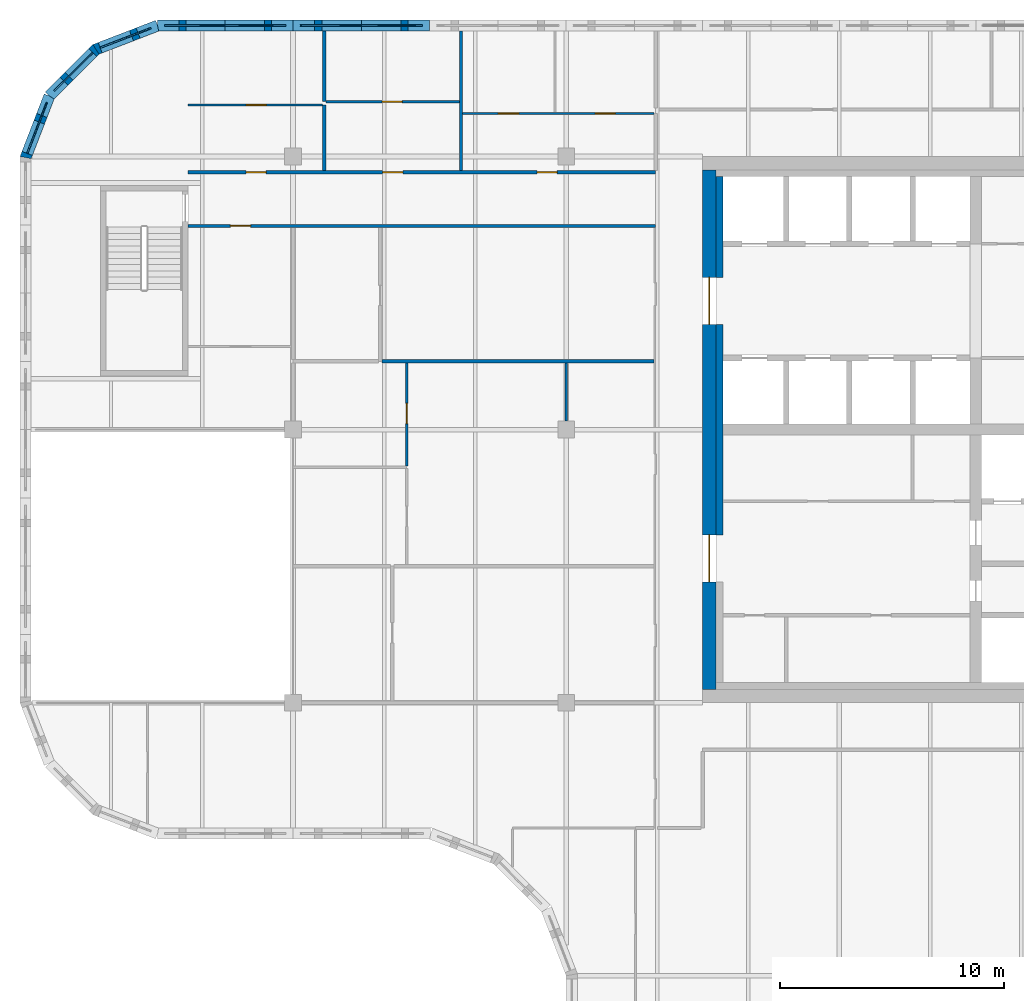
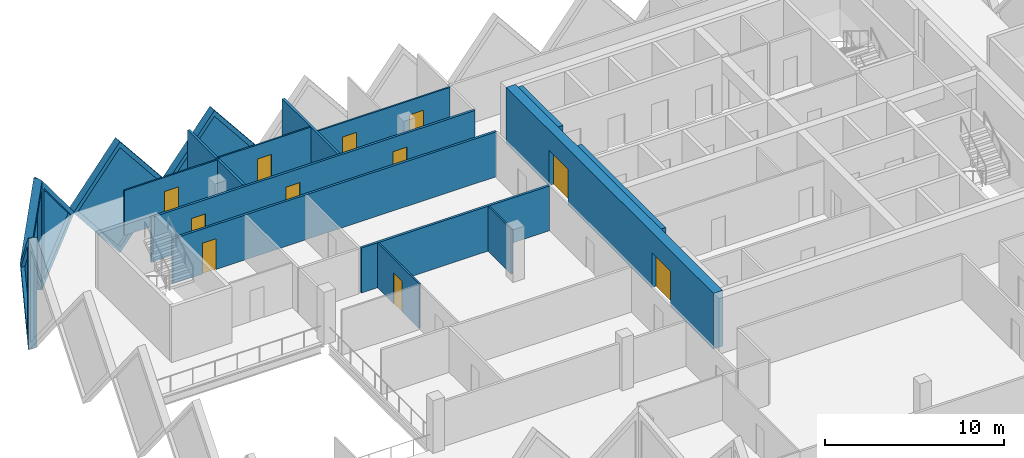
# One storey, part 7 of 11: 19 walls, 11 doors, 5 plates, 16 openings.
"""IFC4 building model written with IfcOpenShell, lengths in metres."""

from ifc_helpers import new_model, si_unit, direction, frame, frame_2d, origin, place, context, subcontext, project, spatial, polyline, rectangle, outline, extrude, faceted_brep, source, transform, mapped, material, layer, layer_set, type_object, element, fill, save


model = new_model("IFC4")

# Units and contexts
model_context = context("Model", 3, precision=1e-05, world=origin(), true_north=direction((0.0, 1.0)))
body_context = subcontext(model_context, "Body", "Model", "MODEL_VIEW")
ifc_project = project(units=[si_unit("LENGTHUNIT", "METRE"), si_unit("AREAUNIT", "SQUARE_METRE"), si_unit("VOLUMEUNIT", "CUBIC_METRE"), si_unit("PLANEANGLEUNIT", "RADIAN"), si_unit("MASSUNIT", "GRAM", prefix="KILO")], contexts=[model_context])

# Site, building, storey
site_placement = place(None, origin())
site = spatial("IfcSite", under=ifc_project, at=site_placement, CompositionType="ELEMENT")
building_placement = place(site_placement, origin())
building = spatial("IfcBuilding", under=site, at=building_placement, Name="Tessera Gate Towers", CompositionType="ELEMENT")
storey_placement = place(building_placement, frame((0.0, 0.0, 166.800048828125)))
storey = spatial("IfcBuildingStorey", under=building, at=storey_placement, Name="L41", CompositionType="ELEMENT", Elevation=166.800048828125)

# Wall, openings, doors
ifc_material_1 = material(Name="Concrete C50/60", Category="concrete")
ifc_layer_1 = layer(ifc_material_1, 0.60009765625)
ifc_layer_set_1 = layer_set([ifc_layer_1], Name="CORE SHEAR WALL 600 C50/60")
wall_type_1 = type_object("IfcWallType", Name="CORE SHEAR WALL 600 C50/60", PredefinedType="SHEAR", material=ifc_layer_set_1)
wall_1_placement = place(storey_placement, frame((30.800048828125, 25.0, 0.0), z_axis=(0.0, 0.0, 1.0), x_axis=(0.0, 1.0, 0.0)))
wall_1 = element("IfcWall", 1, at=wall_1_placement, inside=storey, type_object=wall_type_1, Name="Core wall W L41", PredefinedType="SHEAR", context=body_context, shape_type="SweptSolid", body=[
    extrude(rectangle(XDim=23.199951171875, YDim=0.60009765625, at=frame_2d((11.60009765625, 0.0))), origin(), (0.0, 0.0, 1.0), 3.800048828125),
])
shared_shape_1 = source(origin(), body_context, "Body", "SweptSolid", [
    extrude(rectangle(XDim=2.10009765625, YDim=2.39990234375, at=frame_2d((1.050048828125, 1.199951171875))), frame((0.0, 0.31005859375, 0.0), z_axis=(0.0, -1.0, 0.0), x_axis=(1.0, 0.0, 0.0)), (0.0, 0.0, 1.0), 0.6201171875),
])
opening_1_placement = place(wall_1_placement, frame((4.800048828125, 0.0, 0.0)))
opening_1 = element("IfcOpeningElement", 2, at=opening_1_placement, cuts=wall_1, Name="Opening DD-T1-26-02", PredefinedType="OPENING", context=body_context, shape_type="MappedRepresentation", body=[
    mapped(shared_shape_1, transform((0.0, 0.0, 0.0), scale=1.0)),
])
opening_2_placement = place(wall_1_placement, frame((16.300048828125, 0.0, 0.0)))
opening_2 = element("IfcOpeningElement", 3, at=opening_2_placement, cuts=wall_1, Name="Opening DD-T1-26-03", PredefinedType="OPENING", context=body_context, shape_type="MappedRepresentation", body=[
    mapped(shared_shape_1, transform((0.0, 0.0, 0.0), scale=1.0)),
])
ifc_material_2 = material(Name="Hollow steel fire door", Category="steel")
door_type_1 = type_object("IfcDoorType", Name="CORE DOOR DD 2100x2400", OperationType="NOTDEFINED", PredefinedType="DOOR", material=ifc_material_2)
shared_shape_2 = source(origin(), body_context, "Body", "SweptSolid", [
    extrude(rectangle(XDim=2.10009765625, YDim=2.39990234375, at=frame_2d((1.050048828125, 1.199951171875))), frame((0.0, 0.02490234375, 0.0), z_axis=(0.0, -1.0, 0.0), x_axis=(1.0, 0.0, 0.0)), (0.0, 0.0, 1.0), 0.050048828125),
])
door_1_placement = place(opening_1_placement, origin())
door_1 = element("IfcDoor", 4, at=door_1_placement, inside=storey, type_object=door_type_1, Name="Core entrance door", OperationType="DOUBLE_DOOR_SINGLE_SWING", OverallHeight=2.39990234375, OverallWidth=2.10009765625, PredefinedType="DOOR", context=body_context, shape_type="MappedRepresentation", body=[
    mapped(shared_shape_2, transform((0.0, 0.0, 0.0), scale=1.0)),
])
fill(opening_1, door_1)
door_2_placement = place(opening_2_placement, origin())
door_2 = element("IfcDoor", 5, at=door_2_placement, inside=storey, type_object=door_type_1, Name="Core entrance door", OperationType="DOUBLE_DOOR_SINGLE_SWING", OverallHeight=2.39990234375, OverallWidth=2.10009765625, PredefinedType="DOOR", context=body_context, shape_type="MappedRepresentation", body=[
    mapped(shared_shape_2, transform((0.0, 0.0, 0.0), scale=1.0)),
])
fill(opening_2, door_2)

# Walls
ifc_material_3 = material(Name="Concrete C50/60", Category="concrete")
ifc_layer_2 = layer(ifc_material_3, 0.300048828125)
ifc_layer_set_2 = layer_set([ifc_layer_2], Name="CORE WALL THICKENING 300")
wall_type_2 = type_object("IfcWallType", Name="CORE WALL THICKENING 300", PredefinedType="SOLIDWALL", material=ifc_layer_set_2)
wall_2_placement = place(storey_placement, frame((31.25, 31.89990234375, 0.0), z_axis=(0.0, 0.0, 1.0), x_axis=(0.0, 1.0, 0.0)))
element("IfcWall", 6, at=wall_2_placement, inside=storey, type_object=wall_type_2, Name="Core wall thickening W L41", PredefinedType="SOLIDWALL", context=body_context, shape_type="SweptSolid", body=[
    extrude(rectangle(XDim=9.400146484375, YDim=0.300048828125, at=frame_2d((4.7001953125, 0.0))), origin(), (0.0, 0.0, 1.0), 3.800048828125),
])
wall_3_placement = place(storey_placement, frame((31.25, 43.39990234375, 0.0), z_axis=(0.0, 0.0, 1.0), x_axis=(0.0, 1.0, 0.0)))
element("IfcWall", 7, at=wall_3_placement, inside=storey, type_object=wall_type_2, Name="Core wall thickening W L41", PredefinedType="SOLIDWALL", context=body_context, shape_type="SweptSolid", body=[
    extrude(rectangle(XDim=4.5, YDim=0.300048828125, at=frame_2d((2.25, 0.0))), origin(), (0.0, 0.0, 1.0), 3.800048828125),
])

# Wall, opening, door
ifc_material_4 = material(Name="Gypsum board on steel studs, mineral wool", Category="steel")
ifc_layer_3 = layer(ifc_material_4, 0.14990234375)
ifc_layer_set_3 = layer_set([ifc_layer_3], Name="CORRIDOR WALL 150")
wall_type_3 = type_object("IfcWallType", Name="CORRIDOR WALL 150", PredefinedType="PARTITIONING", material=ifc_layer_set_3)
wall_4_placement = place(storey_placement, frame((28.39990234375, 45.699951171875, 0.0), z_axis=(0.0, 0.0, 1.0), x_axis=(-1.0, 0.0, 0.0)))
wall_4 = element("IfcWall", 8, at=wall_4_placement, inside=storey, type_object=wall_type_3, Name="T1-L41-PW-040", PredefinedType="PARTITIONING", context=body_context, shape_type="SweptSolid", body=[
    extrude(rectangle(XDim=20.89990234375, YDim=0.14990234375, at=frame_2d((10.449951171875, 0.0))), origin(), (0.0, 0.0, 1.0), 3.06689453125),
])
shared_shape_3 = source(origin(), body_context, "Body", "SweptSolid", [
    extrude(rectangle(XDim=0.89990234375, YDim=2.10009765625, at=frame_2d((0.449951171875, 1.050048828125))), frame((0.0, 0.0849609375, 0.0), z_axis=(0.0, -1.0, 0.0), x_axis=(1.0, 0.0, 0.0)), (0.0, 0.0, 1.0), 0.169921875),
])
opening_3_placement = place(wall_4_placement, frame((18.10009765625, 0.0, 0.0)))
opening_3 = element("IfcOpeningElement", 9, at=opening_3_placement, cuts=wall_4, Name="Opening D890FD60-A15-02", PredefinedType="OPENING", context=body_context, shape_type="MappedRepresentation", body=[
    mapped(shared_shape_3, transform((0.0, 0.0, 0.0), scale=1.0)),
])
ifc_material_5 = material(Name="Timber door leaf in steel frame", Category="steel")
door_type_2 = type_object("IfcDoorType", Name="CORRIDOR DOOR 900 FD60", OperationType="NOTDEFINED", PredefinedType="DOOR", material=ifc_material_5)
shared_shape_4 = source(origin(), body_context, "Body", "SweptSolid", [
    extrude(rectangle(XDim=0.89990234375, YDim=2.10009765625, at=frame_2d((0.449951171875, 1.050048828125))), frame((0.0, 0.02490234375, 0.0), z_axis=(0.0, -1.0, 0.0), x_axis=(1.0, 0.0, 0.0)), (0.0, 0.0, 1.0), 0.050048828125),
])
door_3_placement = place(opening_3_placement, origin())
door_3 = element("IfcDoor", 10, at=door_3_placement, inside=storey, type_object=door_type_2, Name="T1-L41-PD-009", OperationType="SINGLE_SWING_RIGHT", OverallHeight=2.10009765625, OverallWidth=0.89990234375, PredefinedType="DOOR", context=body_context, shape_type="MappedRepresentation", body=[
    mapped(shared_shape_4, transform((0.0, 0.0, 0.0), scale=1.0)),
])
fill(opening_3, door_3)

# Wall, openings, doors
wall_5_placement = place(storey_placement, frame((7.5, 48.10009765625, 0.0), z_axis=(0.0, 0.0, 1.0), x_axis=(1.0, 0.0, 0.0)))
wall_5 = element("IfcWall", 11, at=wall_5_placement, inside=storey, type_object=wall_type_3, Name="T1-L41-PW-041", PredefinedType="PARTITIONING", context=body_context, shape_type="SweptSolid", body=[
    extrude(rectangle(XDim=20.89990234375, YDim=0.14990234375, at=frame_2d((10.449951171875, 0.0))), origin(), (0.0, 0.0, 1.0), 3.06689453125),
])
opening_4_placement = place(wall_5_placement, frame((8.700927734375, 0.0, 0.0)))
opening_4 = element("IfcOpeningElement", 12, at=opening_4_placement, cuts=wall_5, Name="Opening D890FD60-A15-04", PredefinedType="OPENING", context=body_context, shape_type="MappedRepresentation", body=[
    mapped(shared_shape_3, transform((0.0, 0.0, 0.0), scale=1.0)),
])
opening_5_placement = place(wall_5_placement, frame((2.60009765625, 0.0, 0.0)))
opening_5 = element("IfcOpeningElement", 13, at=opening_5_placement, cuts=wall_5, Name="Opening D890FD60-A15-05", PredefinedType="OPENING", context=body_context, shape_type="MappedRepresentation", body=[
    mapped(shared_shape_3, transform((0.0, 0.0, 0.0), scale=1.0)),
])
opening_6_placement = place(wall_5_placement, frame((15.60009765625, 0.0, 0.0)))
opening_6 = element("IfcOpeningElement", 14, at=opening_6_placement, cuts=wall_5, Name="Opening D890FD60-A15-07", PredefinedType="OPENING", context=body_context, shape_type="MappedRepresentation", body=[
    mapped(shared_shape_3, transform((0.0, 0.0, 0.0), scale=1.0)),
])
door_4_placement = place(opening_4_placement, origin())
door_4 = element("IfcDoor", 15, at=door_4_placement, inside=storey, type_object=door_type_2, Name="T1-L41-PD-019", OperationType="SINGLE_SWING_LEFT", OverallHeight=2.10009765625, OverallWidth=0.89990234375, PredefinedType="DOOR", context=body_context, shape_type="MappedRepresentation", body=[
    mapped(shared_shape_4, transform((0.0, 0.0, 0.0), scale=1.0)),
])
fill(opening_4, door_4)
door_5_placement = place(opening_5_placement, origin())
door_5 = element("IfcDoor", 16, at=door_5_placement, inside=storey, type_object=door_type_2, Name="T1-L41-PD-021", OperationType="SINGLE_SWING_LEFT", OverallHeight=2.10009765625, OverallWidth=0.89990234375, PredefinedType="DOOR", context=body_context, shape_type="MappedRepresentation", body=[
    mapped(shared_shape_4, transform((0.0, 0.0, 0.0), scale=1.0)),
])
fill(opening_5, door_5)
door_6_placement = place(opening_6_placement, origin())
door_6 = element("IfcDoor", 17, at=door_6_placement, inside=storey, type_object=door_type_2, Name="T1-L41-PD-024", OperationType="SINGLE_SWING_LEFT", OverallHeight=2.10009765625, OverallWidth=0.89990234375, PredefinedType="DOOR", context=body_context, shape_type="MappedRepresentation", body=[
    mapped(shared_shape_4, transform((0.0, 0.0, 0.0), scale=1.0)),
])
fill(opening_6, door_6)

# Wall, opening, door
ifc_material_6 = material(Name="Gypsum board on steel studs", Category="steel")
ifc_layer_4 = layer(ifc_material_6, 0.10009765625)
ifc_layer_set_4 = layer_set([ifc_layer_4], Name="PARTITION 100")
wall_type_4 = type_object("IfcWallType", Name="PARTITION 100", PredefinedType="PARTITIONING", material=ifc_layer_set_4)
wall_6_placement = place(storey_placement, frame((17.27490234375, 34.97119140625, 0.0), z_axis=(0.0, 0.0, 1.0), x_axis=(0.0, 1.0, 0.0)))
wall_6 = element("IfcWall", 18, at=wall_6_placement, inside=storey, type_object=wall_type_4, Name="T1-L41-PW-032", PredefinedType="PARTITIONING", context=body_context, shape_type="SweptSolid", body=[
    extrude(rectangle(XDim=4.602783203125, YDim=0.10009765625, at=frame_2d((2.30126953125, 0.0))), origin(), (0.0, 0.0, 1.0), 3.06689453125),
])
shared_shape_5 = source(origin(), body_context, "Body", "SweptSolid", [
    extrude(rectangle(XDim=0.89990234375, YDim=2.10009765625, at=frame_2d((0.449951171875, 1.050048828125))), frame((0.0, 0.06005859375, 0.0), z_axis=(0.0, -1.0, 0.0), x_axis=(1.0, 0.0, 0.0)), (0.0, 0.0, 1.0), 0.1201171875),
])
opening_7_placement = place(wall_6_placement, frame((1.89990234375, 0.0, 0.0)))
opening_7 = element("IfcOpeningElement", 19, at=opening_7_placement, cuts=wall_6, Name="Opening D190-A15-06", PredefinedType="OPENING", context=body_context, shape_type="MappedRepresentation", body=[
    mapped(shared_shape_5, transform((0.0, 0.0, 0.0), scale=1.0)),
])
ifc_material_7 = material(Name="Timber door leaf in steel frame", Category="steel")
door_type_3 = type_object("IfcDoorType", Name="INTERNAL DOOR 900 NOT RATED", OperationType="NOTDEFINED", PredefinedType="DOOR", material=ifc_material_7)
door_7_placement = place(opening_7_placement, origin())
door_7 = element("IfcDoor", 20, at=door_7_placement, inside=storey, type_object=door_type_3, Name="T1-L41-PD-007", OperationType="SINGLE_SWING_LEFT", OverallHeight=2.10009765625, OverallWidth=0.89990234375, PredefinedType="DOOR", context=body_context, shape_type="MappedRepresentation", body=[
    mapped(shared_shape_4, transform((0.0, 0.0, 0.0), scale=1.0)),
])
fill(opening_7, door_7)

# Wall
wall_7_placement = place(storey_placement, frame((24.39990234375, 36.97509765625, 0.0), z_axis=(0.0, 0.0, 1.0), x_axis=(0.0, 1.0, 0.0)))
element("IfcWall", 21, at=wall_7_placement, inside=storey, type_object=wall_type_4, Name="T1-L41-PW-034", PredefinedType="PARTITIONING", context=body_context, shape_type="SweptSolid", body=[
    extrude(rectangle(XDim=2.599853515625, YDim=0.10009765625, at=frame_2d((1.2998046875, 0.0))), origin(), (0.0, 0.0, 1.0), 3.06689453125),
])

# Wall, openings, doors
wall_8_placement = place(storey_placement, frame((19.77587890625, 50.72509765625, 0.0), z_axis=(0.0, 0.0, 1.0), x_axis=(1.0, 0.0, 0.0)))
wall_8 = element("IfcWall", 22, at=wall_8_placement, inside=storey, type_object=wall_type_4, Name="T1-L41-PW-045", PredefinedType="PARTITIONING", context=body_context, shape_type="SweptSolid", body=[
    extrude(rectangle(XDim=8.548095703125, YDim=0.10009765625, at=frame_2d((4.27392578125, 0.0))), origin(), (0.0, 0.0, 1.0), 3.06689453125),
])
opening_8_placement = place(wall_8_placement, frame((1.60009765625, 0.0, 0.0)))
opening_8 = element("IfcOpeningElement", 23, at=opening_8_placement, cuts=wall_8, Name="Opening D190-A15-01", PredefinedType="OPENING", context=body_context, shape_type="MappedRepresentation", body=[
    mapped(shared_shape_5, transform((0.0, 0.0, 0.0), scale=1.0)),
])
opening_9_placement = place(wall_8_placement, frame((5.927001953125, 0.0, 0.0)))
opening_9 = element("IfcOpeningElement", 24, at=opening_9_placement, cuts=wall_8, Name="Opening D190-A15-04", PredefinedType="OPENING", context=body_context, shape_type="MappedRepresentation", body=[
    mapped(shared_shape_5, transform((0.0, 0.0, 0.0), scale=1.0)),
])
door_8_placement = place(opening_8_placement, origin())
door_8 = element("IfcDoor", 25, at=door_8_placement, inside=storey, type_object=door_type_3, Name="T1-L41-PD-002", OperationType="SINGLE_SWING_LEFT", OverallHeight=2.10009765625, OverallWidth=0.89990234375, PredefinedType="DOOR", context=body_context, shape_type="MappedRepresentation", body=[
    mapped(shared_shape_4, transform((0.0, 0.0, 0.0), scale=1.0)),
])
fill(opening_8, door_8)
door_9_placement = place(opening_9_placement, origin())
door_9 = element("IfcDoor", 26, at=door_9_placement, inside=storey, type_object=door_type_3, Name="T1-L41-PD-005", OperationType="SINGLE_SWING_LEFT", OverallHeight=2.10009765625, OverallWidth=0.89990234375, PredefinedType="DOOR", context=body_context, shape_type="MappedRepresentation", body=[
    mapped(shared_shape_4, transform((0.0, 0.0, 0.0), scale=1.0)),
])
fill(opening_9, door_9)

# Wall, opening, door
wall_9_placement = place(storey_placement, frame((7.5, 51.10009765625, 0.0), z_axis=(0.0, 0.0, 1.0), x_axis=(1.0, 0.0, 0.0)))
wall_9 = element("IfcWall", 27, at=wall_9_placement, inside=storey, type_object=wall_type_4, Name="T1-L41-PW-050", PredefinedType="PARTITIONING", context=body_context, shape_type="SweptSolid", body=[
    extrude(rectangle(XDim=6.02392578125, YDim=0.10009765625, at=frame_2d((3.011962890625, 0.0))), origin(), (0.0, 0.0, 1.0), 3.06689453125),
])
opening_10_placement = place(wall_9_placement, frame((2.60009765625, 0.0, 0.0)))
opening_10 = element("IfcOpeningElement", 28, at=opening_10_placement, cuts=wall_9, Name="Opening D190-A15-11", PredefinedType="OPENING", context=body_context, shape_type="MappedRepresentation", body=[
    mapped(shared_shape_5, transform((0.0, 0.0, 0.0), scale=1.0)),
])
door_10_placement = place(opening_10_placement, origin())
door_10 = element("IfcDoor", 29, at=door_10_placement, inside=storey, type_object=door_type_3, Name="T1-L41-PD-017", OperationType="SINGLE_SWING_LEFT", OverallHeight=2.10009765625, OverallWidth=0.89990234375, PredefinedType="DOOR", context=body_context, shape_type="MappedRepresentation", body=[
    mapped(shared_shape_4, transform((0.0, 0.0, 0.0), scale=1.0)),
])
fill(opening_10, door_10)

wall_10_placement = place(storey_placement, frame((13.676025390625, 51.25, 0.0), z_axis=(0.0, 0.0, 1.0), x_axis=(1.0, 0.0, 0.0)))
wall_10 = element("IfcWall", 30, at=wall_10_placement, inside=storey, type_object=wall_type_4, Name="T1-L41-PW-052", PredefinedType="PARTITIONING", context=body_context, shape_type="SweptSolid", body=[
    extrude(rectangle(XDim=5.947998046875, YDim=0.10009765625, at=frame_2d((2.97412109375, 0.0))), origin(), (0.0, 0.0, 1.0), 3.06689453125),
])
opening_11_placement = place(wall_10_placement, frame((2.5, 0.0, 0.0)))
opening_11 = element("IfcOpeningElement", 31, at=opening_11_placement, cuts=wall_10, Name="Opening D190-A15-09", PredefinedType="OPENING", context=body_context, shape_type="MappedRepresentation", body=[
    mapped(shared_shape_5, transform((0.0, 0.0, 0.0), scale=1.0)),
])
door_11_placement = place(opening_11_placement, origin())
door_11 = element("IfcDoor", 32, at=door_11_placement, inside=storey, type_object=door_type_3, Name="T1-L41-PD-013", OperationType="SINGLE_SWING_LEFT", OverallHeight=2.10009765625, OverallWidth=0.89990234375, PredefinedType="DOOR", context=body_context, shape_type="MappedRepresentation", body=[
    mapped(shared_shape_4, transform((0.0, 0.0, 0.0), scale=1.0)),
])
fill(opening_11, door_11)

# Walls
ifc_material_8 = material(Name="Gypsum board on steel studs, mineral wool", Category="steel")
ifc_layer_5 = layer(ifc_material_8, 0.14990234375)
ifc_layer_set_5 = layer_set([ifc_layer_5], Name="TENANCY WALL 150")
wall_type_5 = type_object("IfcWallType", Name="TENANCY WALL 150", PredefinedType="PARTITIONING", material=ifc_layer_set_5)
wall_11_placement = place(storey_placement, frame((16.176025390625, 39.64990234375, 0.0), z_axis=(0.0, 0.0, 1.0), x_axis=(1.0, 0.0, 0.0)))
element("IfcWall", 33, at=wall_11_placement, inside=storey, type_object=wall_type_5, Name="T1-L41-PW-037", PredefinedType="PARTITIONING", context=body_context, shape_type="SweptSolid", body=[
    extrude(rectangle(XDim=12.14794921875, YDim=0.14990234375, at=frame_2d((6.073974609375, 0.0))), origin(), (0.0, 0.0, 1.0), 3.06689453125),
])
wall_12_placement = place(storey_placement, frame((13.60009765625, 48.176025390625, 0.0), z_axis=(0.0, 0.0, 1.0), x_axis=(0.0, 1.0, 0.0)))
element("IfcWall", 34, at=wall_12_placement, inside=storey, type_object=wall_type_5, Name="T1-L41-PW-042", PredefinedType="PARTITIONING", context=body_context, shape_type="SweptSolid", body=[
    extrude(rectangle(XDim=2.924072265625, YDim=0.14990234375, at=frame_2d((1.4619140625, 0.0))), origin(), (0.0, 0.0, 1.0), 3.06689453125),
])
wall_13_placement = place(storey_placement, frame((19.699951171875, 48.176025390625, 0.0), z_axis=(0.0, 0.0, 1.0), x_axis=(0.0, 1.0, 0.0)))
element("IfcWall", 35, at=wall_13_placement, inside=storey, type_object=wall_type_5, Name="T1-L41-PW-043", PredefinedType="PARTITIONING", context=body_context, shape_type="SweptSolid", body=[
    extrude(rectangle(XDim=6.223876953125, YDim=0.14990234375, at=frame_2d((3.11181640625, 0.0))), origin(), (0.0, 0.0, 1.0), 3.06689453125),
])
wall_14_placement = place(storey_placement, frame((13.60009765625, 51.25, 0.0), z_axis=(0.0, 0.0, 1.0), x_axis=(0.0, 1.0, 0.0)))
element("IfcWall", 36, at=wall_14_placement, inside=storey, type_object=wall_type_5, Name="T1-L41-PW-051", PredefinedType="PARTITIONING", context=body_context, shape_type="SweptSolid", body=[
    extrude(rectangle(XDim=3.14990234375, YDim=0.14990234375, at=frame_2d((1.574951171875, 0.0))), origin(), (0.0, 0.0, 1.0), 3.06689453125),
])

# Wall, opening, plate
ifc_material_9 = material(Name="Precast concrete C60/75 white", Category="concrete")
ifc_layer_6 = layer(ifc_material_9, 0.5)
ifc_layer_set_6 = layer_set([ifc_layer_6], Name="TS1 tessera")
wall_type_6 = type_object("IfcWallType", Name="TS1 tessera", PredefinedType="SOLIDWALL", material=ifc_layer_set_6)
shared_shape_6 = source(origin(), body_context, "Body", "SweptSolid", [
    extrude(outline(polyline([(3.050048828125, 0.0), (6.10009765625, 3.800048828125), (3.050048828125, 7.60009765625), (0.0, 3.800048828125), (3.050048828125, 0.0)])), frame((0.0, 0.25, 0.0), z_axis=(0.0, -1.0, 0.0), x_axis=(1.0, 0.0, 0.0)), (0.0, 0.0, 1.0), 0.5),
])
wall_15_placement = place(storey_placement, frame((18.300048828125, 54.64990234375, -3.800048828125), z_axis=(0.0, 0.0, 1.0), x_axis=(-1.0, 0.0, 0.0)))
wall_15 = element("IfcWall", 37, at=wall_15_placement, inside=storey, type_object=wall_type_6, Name="Precast tessera T1 TS1-0706", PredefinedType="SOLIDWALL", context=body_context, shape_type="MappedRepresentation", body=[
    mapped(shared_shape_6, transform((0.0, 0.0, 0.0), scale=1.0)),
])
shared_shape_7 = source(origin(), body_context, "Body", "SweptSolid", [
    extrude(outline(polyline([(3.050048828125, 0.3994140625), (5.779541015625, 3.800048828125), (3.050048828125, 7.20068359375), (0.320556640625, 3.800048828125), (3.050048828125, 0.3994140625)])), frame((0.0, 0.260009765625, 0.0), z_axis=(0.0, -1.0, 0.0), x_axis=(1.0, 0.0, 0.0)), (0.0, 0.0, 1.0), 0.52001953125),
])
opening_12_placement = place(wall_15_placement, origin())
opening_12 = element("IfcOpeningElement", 38, at=opening_12_placement, cuts=wall_15, Name="Opening T1-PL2-1434", PredefinedType="OPENING", context=body_context, shape_type="MappedRepresentation", body=[
    mapped(shared_shape_7, transform((0.0, 0.0, 0.0), scale=1.0)),
])
ifc_material_10 = material(Name="Low-e laminated glass", Category="glass")
ifc_layer_7 = layer(ifc_material_10, 0.06005859375)
ifc_layer_set_7 = layer_set([ifc_layer_7], Name="PL2 rhombic pane")
plate_type = type_object("IfcPlateType", Name="PL2 rhombic pane", PredefinedType="SHEET", material=ifc_layer_set_7)
shared_shape_8 = source(origin(), body_context, "Body", "SweptSolid", [
    extrude(outline(polyline([(3.050048828125, 0.3994140625), (5.779541015625, 3.800048828125), (3.050048828125, 7.20068359375), (0.320556640625, 3.800048828125), (3.050048828125, 0.3994140625)])), frame((0.0, 0.030029296875, 0.0), z_axis=(0.0, -1.0, 0.0), x_axis=(1.0, 0.0, 0.0)), (0.0, 0.0, 1.0), 0.06005859375),
])
plate_1_placement = place(opening_12_placement, origin())
plate_1 = element("IfcPlate", 39, at=plate_1_placement, inside=storey, type_object=plate_type, Name="Glass pane T1 PL2-1434", PredefinedType="SHEET", context=body_context, shape_type="MappedRepresentation", body=[
    mapped(shared_shape_8, transform((0.0, 0.0, 0.0), scale=1.0)),
])
fill(opening_12, plate_1)

shared_shape_9 = source(origin(), body_context, "Body", "Brep", [
    faceted_brep([(3.050048828125, -0.25, 0.0), (6.053466796875, -0.25, 3.800048828125), (3.050048828125, -0.25, 7.60009765625), (0.0, -0.25, 3.800048828125), (0.0, 0.25, 3.800048828125), (3.050048828125, 0.25, 7.60009765625), (6.0068359375, 0.25, 3.85888671875), (6.0068359375, 0.25, 3.7412109375), (3.050048828125, 0.25, 0.0), (6.053466796875, 0.0, 3.800048828125)], [[[0, 1, 2, 3]], [[4, 5, 6, 7, 8]], [[8, 7, 9, 1, 0]], [[6, 5, 2, 1, 9]], [[5, 4, 3, 2]], [[4, 8, 0, 3]], [[9, 7, 6]]]),
])
wall_16_placement = place(storey_placement, frame((12.199951171875, 54.64990234375, -3.800048828125), z_axis=(0.0, 0.0, 1.0), x_axis=(-1.0, 0.0, 0.0)))
wall_16 = element("IfcWall", 40, at=wall_16_placement, inside=storey, type_object=wall_type_6, Name="Precast tessera T1 TS1-0707", PredefinedType="SOLIDWALL", context=body_context, shape_type="MappedRepresentation", body=[
    mapped(shared_shape_9, transform((0.0, 0.0, 0.0), scale=1.0)),
])
shared_shape_10 = source(origin(), body_context, "Body", "SweptSolid", [
    extrude(outline(polyline([(3.048583984375, 0.4013671875), (5.73486328125, 3.800048828125), (3.048583984375, 7.19873046875), (0.320556640625, 3.800048828125), (3.048583984375, 0.4013671875)])), frame((0.0, 0.260009765625, 0.0), z_axis=(0.0, -1.0, 0.0), x_axis=(1.0, 0.0, 0.0)), (0.0, 0.0, 1.0), 0.52001953125),
])
opening_13_placement = place(wall_16_placement, origin())
opening_13 = element("IfcOpeningElement", 41, at=opening_13_placement, cuts=wall_16, Name="Opening T1-PL2-1435", PredefinedType="OPENING", context=body_context, shape_type="MappedRepresentation", body=[
    mapped(shared_shape_10, transform((0.0, 0.0, 0.0), scale=1.0)),
])
shared_shape_11 = source(origin(), body_context, "Body", "SweptSolid", [
    extrude(outline(polyline([(3.048583984375, 0.4013671875), (5.73486328125, 3.800048828125), (3.048583984375, 7.19873046875), (0.320556640625, 3.800048828125), (3.048583984375, 0.4013671875)])), frame((0.0, 0.030029296875, 0.0), z_axis=(0.0, -1.0, 0.0), x_axis=(1.0, 0.0, 0.0)), (0.0, 0.0, 1.0), 0.06005859375),
])
plate_2_placement = place(opening_13_placement, origin())
plate_2 = element("IfcPlate", 42, at=plate_2_placement, inside=storey, type_object=plate_type, Name="Glass pane T1 PL2-1435", PredefinedType="SHEET", context=body_context, shape_type="MappedRepresentation", body=[
    mapped(shared_shape_11, transform((0.0, 0.0, 0.0), scale=1.0)),
])
fill(opening_13, plate_2)

ifc_material_11 = material(Name="Precast concrete C60/75 white", Category="concrete")
ifc_layer_8 = layer(ifc_material_11, 0.5)
ifc_layer_set_8 = layer_set([ifc_layer_8], Name="TS3 corner tessera")
wall_type_7 = type_object("IfcWallType", Name="TS3 corner tessera", PredefinedType="SOLIDWALL", material=ifc_layer_set_8)
shared_shape_12 = source(origin(), body_context, "Body", "Brep", [
    faceted_brep([(2.950439453125, -0.25, 0.0), (3.00341796875, -0.25, 0.068359375), (3.00341796875, -0.25, 7.53173828125), (2.950439453125, -0.25, 7.60009765625), (0.0, -0.25, 3.800048828125), (0.046630859375, 0.25, 3.860107421875), (2.897705078125, 0.25, 7.531982421875), (2.897705078125, 0.25, 0.068115234375), (0.046630859375, 0.25, 3.739990234375), (2.950439453125, 0.00048828125, 0.0), (2.950439453125, 0.00048828125, 7.60009765625), (0.0, 0.0, 3.800048828125)], [[[0, 1, 2, 3, 4]], [[5, 6, 7, 8]], [[1, 0, 9]], [[10, 3, 2]], [[6, 5, 11, 4, 3, 10]], [[8, 7, 9, 0, 4, 11]], [[8, 11, 5]], [[1, 9, 7, 6, 10, 2]]]),
])
wall_17_placement = place(storey_placement, frame((6.146484375, 54.64990234375, -3.800048828125), z_axis=(0.0, 0.0, 1.0), x_axis=(-0.932997369089, -0.359883188373, 0.0)))
wall_17 = element("IfcWall", 43, at=wall_17_placement, inside=storey, type_object=wall_type_7, Name="Precast corner tessera T1 TS3-0945", PredefinedType="SOLIDWALL", context=body_context, shape_type="MappedRepresentation", body=[
    mapped(shared_shape_12, transform((0.0, 0.0, 0.0), scale=1.0)),
])
shared_shape_13 = source(origin(), body_context, "Body", "SweptSolid", [
    extrude(outline(polyline([(2.75048828125, 6.934814453125), (0.31640625, 3.800048828125), (2.75048828125, 0.665283203125), (2.75048828125, 6.934814453125)])), frame((0.0, 0.260009765625, 0.0), z_axis=(0.0, -1.0, 0.0), x_axis=(1.0, 0.0, 0.0)), (0.0, 0.0, 1.0), 0.52001953125),
])
opening_14_placement = place(wall_17_placement, origin())
opening_14 = element("IfcOpeningElement", 44, at=opening_14_placement, cuts=wall_17, Name="Opening T1-PL2-1436", PredefinedType="OPENING", context=body_context, shape_type="MappedRepresentation", body=[
    mapped(shared_shape_13, transform((0.0, 0.0, 0.0), scale=1.0)),
])
shared_shape_14 = source(origin(), body_context, "Body", "SweptSolid", [
    extrude(outline(polyline([(2.75048828125, 6.934814453125), (0.31640625, 3.800048828125), (2.75048828125, 0.665283203125), (2.75048828125, 6.934814453125)])), frame((0.0, 0.030029296875, 0.0), z_axis=(0.0, -1.0, 0.0), x_axis=(1.0, 0.0, 0.0)), (0.0, 0.0, 1.0), 0.06005859375),
])
plate_3_placement = place(opening_14_placement, origin())
plate_3 = element("IfcPlate", 45, at=plate_3_placement, inside=storey, type_object=plate_type, Name="Glass pane T1 PL2-1436", PredefinedType="SHEET", context=body_context, shape_type="MappedRepresentation", body=[
    mapped(shared_shape_14, transform((0.0, 0.0, 0.0), scale=1.0)),
])
fill(opening_14, plate_3)

shared_shape_15 = source(origin(), body_context, "Body", "Brep", [
    faceted_brep([(0.052978515625, -0.25, 0.0), (2.9970703125, -0.25, 3.800048828125), (0.052978515625, -0.25, 7.60009765625), (0.0, -0.25, 7.531982421875), (0.0, -0.25, 0.068115234375), (0.10595703125, 0.25, 7.53173828125), (2.944091796875, 0.25, 3.8681640625), (2.944091796875, 0.25, 3.73193359375), (0.10595703125, 0.25, 0.068359375), (2.9970703125, 0.000244140625, 3.800048828125), (0.052978515625, 0.0, 0.0), (0.052978515625, 0.0, 7.60009765625)], [[[0, 1, 2, 3, 4]], [[5, 6, 7, 8]], [[8, 7, 9, 1, 0, 10]], [[6, 5, 11, 2, 1, 9]], [[3, 2, 11]], [[10, 0, 4]], [[8, 10, 4, 3, 11, 5]], [[9, 7, 6]]]),
])
wall_18_placement = place(storey_placement, frame((3.43115234375, 53.62548828125, -3.800048828125), z_axis=(0.0, 0.0, 1.0), x_axis=(-0.707106781187, -0.707106781187, 0.0)))
wall_18 = element("IfcWall", 46, at=wall_18_placement, inside=storey, type_object=wall_type_7, Name="Precast corner tessera T1 TS3-0946", PredefinedType="SOLIDWALL", context=body_context, shape_type="MappedRepresentation", body=[
    mapped(shared_shape_15, transform((0.0, 0.0, 0.0), scale=1.0)),
])
shared_shape_16 = source(origin(), body_context, "Body", "SweptSolid", [
    extrude(outline(polyline([(0.2529296875, 0.666259765625), (2.680908203125, 3.800048828125), (0.2529296875, 6.93359375), (0.2529296875, 0.666259765625)])), frame((0.0, 0.260009765625, 0.0), z_axis=(0.0, -1.0, 0.0), x_axis=(1.0, 0.0, 0.0)), (0.0, 0.0, 1.0), 0.52001953125),
])
opening_15_placement = place(wall_18_placement, origin())
opening_15 = element("IfcOpeningElement", 47, at=opening_15_placement, cuts=wall_18, Name="Opening T1-PL2-1437", PredefinedType="OPENING", context=body_context, shape_type="MappedRepresentation", body=[
    mapped(shared_shape_16, transform((0.0, 0.0, 0.0), scale=1.0)),
])
shared_shape_17 = source(origin(), body_context, "Body", "SweptSolid", [
    extrude(outline(polyline([(0.2529296875, 0.666259765625), (2.680908203125, 3.800048828125), (0.2529296875, 6.93359375), (0.2529296875, 0.666259765625)])), frame((0.0, 0.030029296875, 0.0), z_axis=(0.0, -1.0, 0.0), x_axis=(1.0, 0.0, 0.0)), (0.0, 0.0, 1.0), 0.06005859375),
])
plate_4_placement = place(opening_15_placement, origin())
plate_4 = element("IfcPlate", 48, at=plate_4_placement, inside=storey, type_object=plate_type, Name="Glass pane T1 PL2-1437", PredefinedType="SHEET", context=body_context, shape_type="MappedRepresentation", body=[
    mapped(shared_shape_17, transform((0.0, 0.0, 0.0), scale=1.0)),
])
fill(opening_15, plate_4)

shared_shape_18 = source(origin(), body_context, "Body", "Brep", [
    faceted_brep([(2.950439453125, -0.25, 0.0), (2.9970703125, -0.25, 0.05908203125), (2.9970703125, -0.25, 7.541015625), (2.950439453125, -0.25, 7.60009765625), (0.0, -0.25, 3.800048828125), (0.052978515625, 0.25, 3.8681640625), (2.904052734375, 0.25, 7.540283203125), (2.904052734375, 0.25, 0.059814453125), (0.052978515625, 0.25, 3.73193359375), (2.950439453125, 0.00048828125, 0.0), (2.950439453125, 0.00048828125, 7.60009765625), (0.0, 0.0, 3.800048828125)], [[[0, 1, 2, 3, 4]], [[5, 6, 7, 8]], [[1, 0, 9]], [[10, 3, 2]], [[6, 5, 11, 4, 3, 10]], [[8, 7, 9, 0, 4, 11]], [[8, 11, 5]], [[1, 9, 7, 6, 10, 2]]]),
])
wall_19_placement = place(storey_placement, frame((1.31201171875, 51.50634765625, -3.800048828125), z_axis=(0.0, 0.0, 1.0), x_axis=(-0.359944998003, -0.932973525033, 0.0)))
wall_19 = element("IfcWall", 49, at=wall_19_placement, inside=storey, type_object=wall_type_7, Name="Precast corner tessera T1 TS3-0947", PredefinedType="SOLIDWALL", context=body_context, shape_type="MappedRepresentation", body=[
    mapped(shared_shape_18, transform((0.0, 0.0, 0.0), scale=1.0)),
])
opening_16_placement = place(wall_19_placement, origin())
opening_16 = element("IfcOpeningElement", 50, at=opening_16_placement, cuts=wall_19, Name="Opening T1-PL2-1438", PredefinedType="OPENING", context=body_context, shape_type="MappedRepresentation", body=[
    mapped(shared_shape_13, transform((0.0, 0.0, 0.0), scale=1.0)),
])
plate_5_placement = place(opening_16_placement, origin())
plate_5 = element("IfcPlate", 51, at=plate_5_placement, inside=storey, type_object=plate_type, Name="Glass pane T1 PL2-1438", PredefinedType="SHEET", context=body_context, shape_type="MappedRepresentation", body=[
    mapped(shared_shape_14, transform((0.0, 0.0, 0.0), scale=1.0)),
])
fill(opening_16, plate_5)

save(model, "model.ifc")
